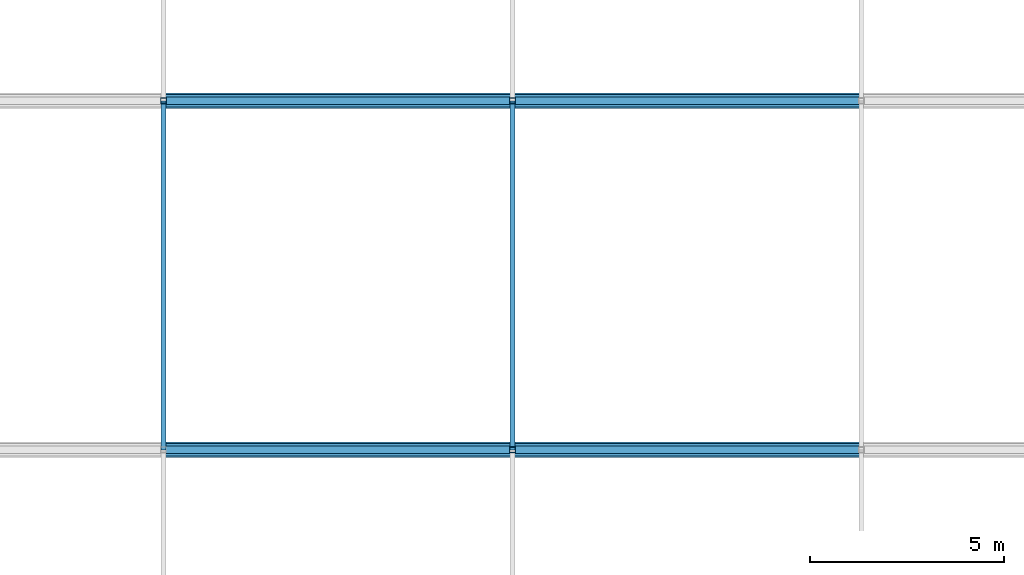
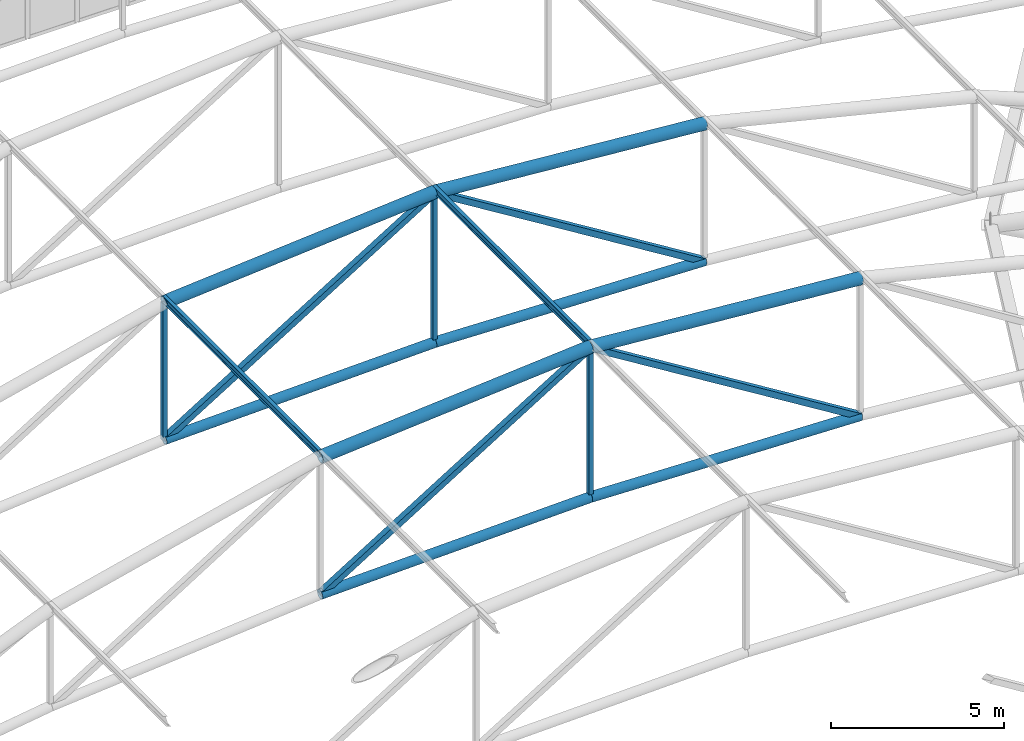
# One storey, part 54 of 167: 17 members.
"""IFC4 building model written with IfcOpenShell, lengths in metres."""

from ifc_helpers import new_model, si_unit, direction, frame, origin, origin_2d, place, context, subcontext, project, spatial, hollow_rectangle, hollow_circle, i_section, extrude, material, material_profile, profile_set, type_object, element, save


model = new_model("IFC4")

# Units and contexts
model_context = context("Model", 3, precision=1e-05, world=origin(), true_north=direction((0.0, 1.0)))
body_context = subcontext(model_context, "Body", "Model", "MODEL_VIEW")
ifc_project = project(units=[si_unit("LENGTHUNIT", "METRE"), si_unit("AREAUNIT", "SQUARE_METRE"), si_unit("VOLUMEUNIT", "CUBIC_METRE"), si_unit("PLANEANGLEUNIT", "RADIAN"), si_unit("MASSUNIT", "GRAM", prefix="KILO")], contexts=[model_context])

# Site, building, storey
site_placement = place(None, origin())
site = spatial("IfcSite", under=ifc_project, at=site_placement, CompositionType="ELEMENT")
building_placement = place(site_placement, origin())
building = spatial("IfcBuilding", under=site, at=building_placement, Name="Dornveld Trade and Exhibition Forum", CompositionType="ELEMENT")
storey_placement = place(building_placement, frame((0.0, 0.0, 16.800048828125)))
storey = spatial("IfcBuildingStorey", under=building, at=storey_placement, Name="L03", CompositionType="ELEMENT", Elevation=16.800048828125)

# Members
ifc_material_1 = material(Name="Steel S355J2", Category="steel")
ifc_material_profile_1 = material_profile(ifc_material_1, hollow_circle(Radius=0.161865234375, WallThickness=0.01611328125, at=origin_2d()), Name="CHS 323.9x16")
ifc_profile_set_1 = profile_set([ifc_material_profile_1], Name="Steel S355J2")
member_type_1 = type_object("IfcMemberType", Name="MEM-ARCH-BC", PredefinedType="CHORD", material=ifc_profile_set_1)
for number, where, z_axis, x_axis, name in (
    (1, (45.0, 99.0, 6.083251953125), (0.999561545365, 0.0, 0.029609407757), (0.0, 1.0, 0.0), "H3 truss 8 tie chord 3"),
    (2, (54.0, 99.0, 6.349853515625), (0.999561545365, 0.0, -0.029609407757), (0.0, 1.0, 0.0), "H3 truss 8 tie chord 4"),
    (3, (45.0, 108.0, 6.083251953125), (0.999561545365, 0.0, 0.029609407757), (0.0, 1.0, 0.0), "H3 truss 9 tie chord 3"),
    (4, (54.0, 108.0, 6.349853515625), (0.999561545365, 0.0, -0.029609407757), (0.0, 1.0, 0.0), "H3 truss 9 tie chord 4"),
):
    element("IfcMember", number, at=place(storey_placement, frame(where, z_axis=z_axis, x_axis=x_axis)), inside=storey, type_object=member_type_1, Name=name, PredefinedType="CHORD", context=body_context, shape_type="SweptSolid", body=[
        extrude(hollow_circle(Radius=0.161865234375, WallThickness=0.01611328125, at=origin_2d()), origin(), (0.0, 0.0, 1.0), 9.00390625),
    ])
ifc_material_2 = material(Name="Steel S355J2", Category="steel")
ifc_material_profile_2 = material_profile(ifc_material_2, hollow_rectangle(XDim=0.14990234375, YDim=0.14990234375, WallThickness=0.008056640625, at=origin_2d()), Name="SHS 150x150x8")
ifc_profile_set_2 = profile_set([ifc_material_profile_2], Name="Steel S355J2")
member_type_2 = type_object("IfcMemberType", Name="MEM-ARCH-STR", PredefinedType="STRUT", material=ifc_profile_set_2)
member_1_placement = place(storey_placement, frame((54.0, 99.0, 6.349853515625), z_axis=(0.0, 0.0, 1.0), x_axis=(1.0, 0.0, 0.0)))
element("IfcMember", 5, at=member_1_placement, inside=storey, type_object=member_type_2, Name="H3 truss 8 strut 4", PredefinedType="STRUT", context=body_context, shape_type="SweptSolid", body=[
    extrude(hollow_rectangle(XDim=0.14990234375, YDim=0.14990234375, WallThickness=0.008056640625, at=origin_2d()), origin(), (0.0, 0.0, 1.0), 5.300048828125),
])
member_2_placement = place(storey_placement, frame((45.0, 108.0, 6.083251953125), z_axis=(0.0, 0.0, 1.0), x_axis=(1.0, 0.0, 0.0)))
element("IfcMember", 6, at=member_2_placement, inside=storey, type_object=member_type_2, Name="H3 truss 9 strut 3", PredefinedType="STRUT", context=body_context, shape_type="SweptSolid", body=[
    extrude(hollow_rectangle(XDim=0.14990234375, YDim=0.14990234375, WallThickness=0.008056640625, at=origin_2d()), origin(), (0.0, 0.0, 1.0), 4.83349609375),
])
member_3_placement = place(storey_placement, frame((54.0, 108.0, 6.349853515625), z_axis=(0.0, 0.0, 1.0), x_axis=(1.0, 0.0, 0.0)))
element("IfcMember", 7, at=member_3_placement, inside=storey, type_object=member_type_2, Name="H3 truss 9 strut 4", PredefinedType="STRUT", context=body_context, shape_type="SweptSolid", body=[
    extrude(hollow_rectangle(XDim=0.14990234375, YDim=0.14990234375, WallThickness=0.008056640625, at=origin_2d()), origin(), (0.0, 0.0, 1.0), 5.300048828125),
])
ifc_material_3 = material(Name="Steel S355J2", Category="steel")
ifc_material_profile_3 = material_profile(ifc_material_3, hollow_circle(Radius=0.203125, WallThickness=0.02001953125, at=origin_2d()), Name="CHS 406.4x20")
ifc_profile_set_3 = profile_set([ifc_material_profile_3], Name="Steel S355J2")
member_type_3 = type_object("IfcMemberType", Name="MEM-ARCH-TC", PredefinedType="CHORD", material=ifc_profile_set_3)
for number, where, z_axis, x_axis, name in (
    (8, (45.0, 99.0, 10.916748046875), (0.996698427641, 0.0, 0.081192637213), (0.0, 1.0, 0.0), "H3 truss 8 top chord 3"),
    (9, (54.0, 99.0, 11.64990234375), (0.996698427641, 0.0, -0.081192637213), (0.0, 1.0, 0.0), "H3 truss 8 top chord 4"),
    (10, (45.0, 108.0, 10.916748046875), (0.996698427641, 0.0, 0.081192637213), (0.0, 1.0, 0.0), "H3 truss 9 top chord 3"),
    (11, (54.0, 108.0, 11.64990234375), (0.996698427641, 0.0, -0.081192637213), (0.0, 1.0, 0.0), "H3 truss 9 top chord 4"),
):
    element("IfcMember", number, at=place(storey_placement, frame(where, z_axis=z_axis, x_axis=x_axis)), inside=storey, type_object=member_type_3, Name=name, PredefinedType="CHORD", context=body_context, shape_type="SweptSolid", body=[
        extrude(hollow_circle(Radius=0.203125, WallThickness=0.02001953125, at=origin_2d()), origin(), (0.0, 0.0, 1.0), 9.02978515625),
    ])
ifc_material_4 = material(Name="Steel S355J2", Category="steel")
ifc_material_profile_4 = material_profile(ifc_material_4, hollow_rectangle(XDim=0.199951171875, YDim=0.199951171875, WallThickness=0.010009765625, at=origin_2d()), Name="SHS 200x200x10")
ifc_profile_set_4 = profile_set([ifc_material_profile_4], Name="Steel S355J2")
member_type_4 = type_object("IfcMemberType", Name="MEM-ARCH-WEB", PredefinedType="BRACE", material=ifc_profile_set_4)
for number, where, z_axis, x_axis, name in (
    (12, (45.0, 99.0, 6.083251953125), (0.850467158024, 0.0, 0.526028148603), (0.0, 1.0, 0.0), "H3 truss 8 web 3"),
    (13, (63.0, 99.0, 6.083251953125), (-0.850467158024, 0.0, 0.526028148603), (0.0, -1.0, 0.0), "H3 truss 8 web 4"),
    (14, (45.0, 108.0, 6.083251953125), (0.850467158024, 0.0, 0.526028148603), (0.0, 1.0, 0.0), "H3 truss 9 web 3"),
    (15, (63.0, 108.0, 6.083251953125), (-0.850467158024, 0.0, 0.526028148603), (0.0, -1.0, 0.0), "H3 truss 9 web 4"),
):
    element("IfcMember", number, at=place(storey_placement, frame(where, z_axis=z_axis, x_axis=x_axis)), inside=storey, type_object=member_type_4, Name=name, PredefinedType="BRACE", context=body_context, shape_type="SweptSolid", body=[
        extrude(hollow_rectangle(XDim=0.199951171875, YDim=0.199951171875, WallThickness=0.010009765625, at=origin_2d()), origin(), (0.0, 0.0, 1.0), 10.58251953125),
    ])
ifc_material_5 = material(Name="Steel S355J2", Category="steel")
ifc_material_profile_5 = material_profile(ifc_material_5, i_section(OverallWidth=0.1201171875, OverallDepth=0.239990234375, WebThickness=0.006103515625, FlangeThickness=0.009765625, FilletRadius=0.014892578125, at=origin_2d()), Name="IPE 240")
ifc_profile_set_5 = profile_set([ifc_material_profile_5], Name="Steel S355J2")
member_type_5 = type_object("IfcMemberType", Name="MEM-PURLIN-240", PredefinedType="PURLIN", material=ifc_profile_set_5)
for number, where, z_axis, x_axis, name in (
    (16, (45.0, 99.0, 11.048583984375), (0.0, 1.0, 0.0), (-1.0, 0.0, 0.0), "H3 bay 8 roof purlin 3"),
    (17, (54.0, 99.0, 11.781982421875), (0.0, 1.0, 0.0), (-1.0, 0.0, 0.0), "H3 bay 8 roof purlin 4"),
):
    element("IfcMember", number, at=place(storey_placement, frame(where, z_axis=z_axis, x_axis=x_axis)), inside=storey, type_object=member_type_5, Name=name, PredefinedType="PURLIN", context=body_context, shape_type="SweptSolid", body=[
        extrude(i_section(OverallWidth=0.1201171875, OverallDepth=0.239990234375, WebThickness=0.006103515625, FlangeThickness=0.009765625, FilletRadius=0.014892578125, at=origin_2d()), origin(), (0.0, 0.0, 1.0), 9.0),
    ])

save(model, "model.ifc")
